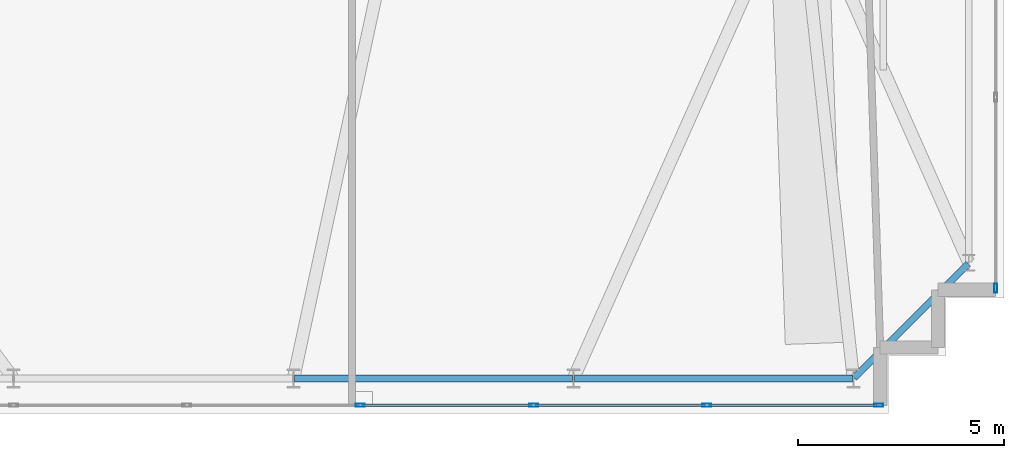
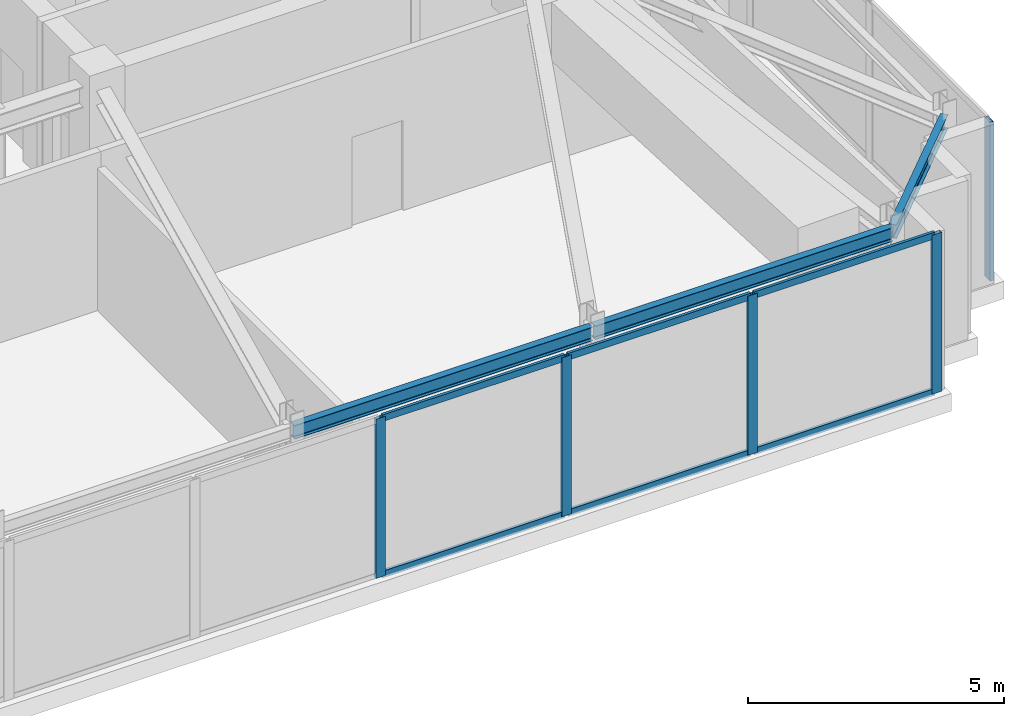
# One storey, part 14 of 27: 11 members, 3 beams, 2 elements without a shape of their own.
"""IFC4 building model written with IfcOpenShell, lengths in metres."""

from ifc_helpers import new_model, si_unit, direction, frame, origin, origin_2d, place, context, subcontext, project, spatial, hollow_rectangle, i_section, extrude, material, layer, layer_set, material_profile, profile_set, type_object, element, aggregate, save


model = new_model("IFC4")

# Units and contexts
model_context = context("Model", 3, precision=1e-05, world=origin(), true_north=direction((0.0, 1.0)))
body_context = subcontext(model_context, "Body", "Model", "MODEL_VIEW")
ifc_project = project(units=[si_unit("LENGTHUNIT", "METRE"), si_unit("AREAUNIT", "SQUARE_METRE"), si_unit("VOLUMEUNIT", "CUBIC_METRE"), si_unit("PLANEANGLEUNIT", "RADIAN"), si_unit("MASSUNIT", "GRAM", prefix="KILO")], contexts=[model_context])

# Site, building, storey
site_placement = place(None, origin())
site = spatial("IfcSite", under=ifc_project, at=site_placement, CompositionType="ELEMENT")
building_placement = place(site_placement, origin())
building = spatial("IfcBuilding", under=site, at=building_placement, Name="Qobustan Lattice House", CompositionType="ELEMENT")
storey_placement = place(building_placement, frame((0.0, 0.0, 266.0)))
storey = spatial("IfcBuildingStorey", under=building, at=storey_placement, Name="L75", CompositionType="ELEMENT", Elevation=266.0)

# Beams
ifc_material_1 = material(Name="Steel S355", Category="steel")
ifc_material_profile_1 = material_profile(ifc_material_1, i_section(OverallWidth=0.159912109375, OverallDepth=0.330078125, WebThickness=0.007568359375, FlangeThickness=0.011474609375, FilletRadius=0.01806640625, at=origin_2d()), Name="IPE330")
ifc_profile_set_1 = profile_set([ifc_material_profile_1], Name="Steel S355")
beam_type = type_object("IfcBeamType", Name="BM-SPD-IPE330", PredefinedType="SPANDREL", material=ifc_profile_set_1)
for number, where, z_axis, x_axis, name in (
    (1, (6.6083984375, -17.75, 3.635009765625), (1.0, 0.0, 0.0), (0.0, 1.0, 0.0), "L75 perimeter spandrel S5-S6"),
    (2, (13.3916015625, -17.75, 3.635009765625), (1.0, 0.0, 0.0), (0.0, 1.0, 0.0), "L75 perimeter spandrel S6-S7"),
):
    element("IfcBeam", number, at=place(storey_placement, frame(where, z_axis=z_axis, x_axis=x_axis)), inside=storey, type_object=beam_type, Name=name, PredefinedType="SPANDREL", context=body_context, shape_type="SweptSolid", body=[
        extrude(i_section(OverallWidth=0.159912109375, OverallDepth=0.330078125, WebThickness=0.007568359375, FlangeThickness=0.011474609375, FilletRadius=0.01806640625, at=origin_2d()), origin(), (0.0, 0.0, 1.0), 6.7333984375),
    ])
beam_placement = place(storey_placement, frame((20.167724609375, -17.732421875, 3.635009765625), z_axis=(0.707106781187, 0.707106781187, 0.0), x_axis=(-0.707106781187, 0.707106781187, 0.0)))
element("IfcBeam", 3, at=beam_placement, inside=storey, type_object=beam_type, Name="L75 perimeter spandrel S7-E1", PredefinedType="SPANDREL", context=body_context, shape_type="SweptSolid", body=[
    extrude(i_section(OverallWidth=0.159912109375, OverallDepth=0.330078125, WebThickness=0.007568359375, FlangeThickness=0.011474609375, FilletRadius=0.01806640625, at=origin_2d()), origin(), (0.0, 0.0, 1.0), 3.909912109375),
])

# Curtain wall, member
ifc_material_2 = material(Name="Anodised aluminium and low-E glazing", Category="aluminium")
ifc_layer = layer(ifc_material_2, 0.219970703125)
ifc_layer_set = layer_set([ifc_layer], Name="Anodised aluminium and low-E glazing")
curtain_wall_type = type_object("IfcCurtainWallType", Name="CW-OBS-01", PredefinedType="USERDEFINED", material=ifc_layer_set)
curtain_wall_1_placement = place(storey_placement, origin())
curtain_wall_1 = element("IfcCurtainWall", 4, at=curtain_wall_1_placement, inside=storey, type_object=curtain_wall_type, Name="L75 E panoramic observation curtain wall", ObjectType="CURTAIN WALL", PredefinedType="USERDEFINED")
ifc_material_3 = material(Name="Anodised aluminium EN AW-6063 T6", Category="aluminium")
ifc_material_profile_2 = material_profile(ifc_material_3, hollow_rectangle(XDim=0.080078125, YDim=0.219970703125, WallThickness=0.0048828125, at=origin_2d()), Name="CWM-220x80")
ifc_profile_set_2 = profile_set([ifc_material_profile_2], Name="Anodised aluminium EN AW-6063 T6")
member_type_1 = type_object("IfcMemberType", Name="CWM-MAIN-220", PredefinedType="MULLION", material=ifc_profile_set_2)
member_1_placement = place(storey_placement, frame((23.60009765625, -15.56005859375, 0.0), z_axis=(0.0, 0.0, 1.0), x_axis=(1.0, 0.0, 0.0)))
member_1 = element("IfcMember", 5, at=member_1_placement, type_object=member_type_1, Name="CW-OB mullion 7", PredefinedType="MULLION", context=body_context, shape_type="SweptSolid", body=[
    extrude(hollow_rectangle(XDim=0.080078125, YDim=0.219970703125, WallThickness=0.0048828125, at=origin_2d()), origin(), (0.0, 0.0, 1.0), 3.800048828125),
])
aggregate(curtain_wall_1, [member_1])

# Curtain wall, members
curtain_wall_2_placement = place(storey_placement, origin())
curtain_wall_2 = element("IfcCurtainWall", 6, at=curtain_wall_2_placement, inside=storey, type_object=curtain_wall_type, Name="L75 S panoramic observation curtain wall", ObjectType="CURTAIN WALL", PredefinedType="USERDEFINED")
member_2_placement = place(storey_placement, frame((20.760009765625, -18.39990234375, 0.0), z_axis=(0.0, 0.0, 1.0), x_axis=(0.0, -1.0, 0.0)))
member_2 = element("IfcMember", 7, at=member_2_placement, type_object=member_type_1, Name="CW-OB mullion 1", PredefinedType="MULLION", context=body_context, shape_type="SweptSolid", body=[
    extrude(hollow_rectangle(XDim=0.080078125, YDim=0.219970703125, WallThickness=0.0048828125, at=origin_2d()), origin(), (0.0, 0.0, 1.0), 3.800048828125),
])
member_3_placement = place(storey_placement, frame((16.60009765625, -18.39990234375, 0.0), z_axis=(0.0, 0.0, 1.0), x_axis=(0.0, -1.0, 0.0)))
member_3 = element("IfcMember", 8, at=member_3_placement, type_object=member_type_1, Name="CW-OB mullion 2", PredefinedType="MULLION", context=body_context, shape_type="SweptSolid", body=[
    extrude(hollow_rectangle(XDim=0.080078125, YDim=0.219970703125, WallThickness=0.0048828125, at=origin_2d()), origin(), (0.0, 0.0, 1.0), 3.800048828125),
])
member_4_placement = place(storey_placement, frame((12.39990234375, -18.39990234375, 0.0), z_axis=(0.0, 0.0, 1.0), x_axis=(0.0, -1.0, 0.0)))
member_4 = element("IfcMember", 9, at=member_4_placement, type_object=member_type_1, Name="CW-OB mullion 3", PredefinedType="MULLION", context=body_context, shape_type="SweptSolid", body=[
    extrude(hollow_rectangle(XDim=0.080078125, YDim=0.219970703125, WallThickness=0.0048828125, at=origin_2d()), origin(), (0.0, 0.0, 1.0), 3.800048828125),
])
member_5_placement = place(storey_placement, frame((8.199951171875, -18.39990234375, 0.0), z_axis=(0.0, 0.0, 1.0), x_axis=(0.0, -1.0, 0.0)))
member_5 = element("IfcMember", 10, at=member_5_placement, type_object=member_type_1, Name="CW-OB mullion 4", PredefinedType="MULLION", context=body_context, shape_type="SweptSolid", body=[
    extrude(hollow_rectangle(XDim=0.080078125, YDim=0.219970703125, WallThickness=0.0048828125, at=origin_2d()), origin(), (0.0, 0.0, 1.0), 3.800048828125),
])
ifc_material_4 = material(Name="Anodised aluminium EN AW-6063 T6", Category="aluminium")
ifc_material_profile_3 = material_profile(ifc_material_4, hollow_rectangle(XDim=0.06494140625, YDim=0.159912109375, WallThickness=0.00390625, at=origin_2d()), Name="CWT-160x65")
ifc_profile_set_3 = profile_set([ifc_material_profile_3], Name="Anodised aluminium EN AW-6063 T6")
member_type_2 = type_object("IfcMemberType", Name="CWT-HOR-160", PredefinedType="USERDEFINED", material=ifc_profile_set_3)
member_6_placement = place(storey_placement, frame((20.719970703125, -18.39990234375, 0.032470703125), z_axis=(-1.0, 0.0, 0.0), x_axis=(0.0, -1.0, 0.0)))
member_6 = element("IfcMember", 11, at=member_6_placement, type_object=member_type_2, Name="CW-OB transom 1.1", ObjectType="TRANSOM", PredefinedType="USERDEFINED", context=body_context, shape_type="SweptSolid", body=[
    extrude(hollow_rectangle(XDim=0.06494140625, YDim=0.159912109375, WallThickness=0.00390625, at=origin_2d()), origin(), (0.0, 0.0, 1.0), 4.080078125),
])
member_7_placement = place(storey_placement, frame((20.719970703125, -18.39990234375, 3.767578125), z_axis=(-1.0, 0.0, 0.0), x_axis=(0.0, -1.0, 0.0)))
member_7 = element("IfcMember", 12, at=member_7_placement, type_object=member_type_2, Name="CW-OB transom 1.2", ObjectType="TRANSOM", PredefinedType="USERDEFINED", context=body_context, shape_type="SweptSolid", body=[
    extrude(hollow_rectangle(XDim=0.06494140625, YDim=0.159912109375, WallThickness=0.00390625, at=origin_2d()), origin(), (0.0, 0.0, 1.0), 4.080078125),
])
member_8_placement = place(storey_placement, frame((16.56005859375, -18.39990234375, 0.032470703125), z_axis=(-1.0, 0.0, 0.0), x_axis=(0.0, -1.0, 0.0)))
member_8 = element("IfcMember", 13, at=member_8_placement, type_object=member_type_2, Name="CW-OB transom 2.1", ObjectType="TRANSOM", PredefinedType="USERDEFINED", context=body_context, shape_type="SweptSolid", body=[
    extrude(hollow_rectangle(XDim=0.06494140625, YDim=0.159912109375, WallThickness=0.00390625, at=origin_2d()), origin(), (0.0, 0.0, 1.0), 4.1201171875),
])
member_9_placement = place(storey_placement, frame((16.56005859375, -18.39990234375, 3.767578125), z_axis=(-1.0, 0.0, 0.0), x_axis=(0.0, -1.0, 0.0)))
member_9 = element("IfcMember", 14, at=member_9_placement, type_object=member_type_2, Name="CW-OB transom 2.2", ObjectType="TRANSOM", PredefinedType="USERDEFINED", context=body_context, shape_type="SweptSolid", body=[
    extrude(hollow_rectangle(XDim=0.06494140625, YDim=0.159912109375, WallThickness=0.00390625, at=origin_2d()), origin(), (0.0, 0.0, 1.0), 4.1201171875),
])
member_10_placement = place(storey_placement, frame((12.360107421875, -18.39990234375, 0.032470703125), z_axis=(-1.0, 0.0, 0.0), x_axis=(0.0, -1.0, 0.0)))
member_10 = element("IfcMember", 15, at=member_10_placement, type_object=member_type_2, Name="CW-OB transom 3.1", ObjectType="TRANSOM", PredefinedType="USERDEFINED", context=body_context, shape_type="SweptSolid", body=[
    extrude(hollow_rectangle(XDim=0.06494140625, YDim=0.159912109375, WallThickness=0.00390625, at=origin_2d()), origin(), (0.0, 0.0, 1.0), 4.1201171875),
])
member_11_placement = place(storey_placement, frame((12.360107421875, -18.39990234375, 3.767578125), z_axis=(-1.0, 0.0, 0.0), x_axis=(0.0, -1.0, 0.0)))
member_11 = element("IfcMember", 16, at=member_11_placement, type_object=member_type_2, Name="CW-OB transom 3.2", ObjectType="TRANSOM", PredefinedType="USERDEFINED", context=body_context, shape_type="SweptSolid", body=[
    extrude(hollow_rectangle(XDim=0.06494140625, YDim=0.159912109375, WallThickness=0.00390625, at=origin_2d()), origin(), (0.0, 0.0, 1.0), 4.1201171875),
])
aggregate(curtain_wall_2, [member_2, member_3, member_4, member_5, member_6, member_7, member_8, member_9, member_10, member_11])

save(model, "model.ifc")
